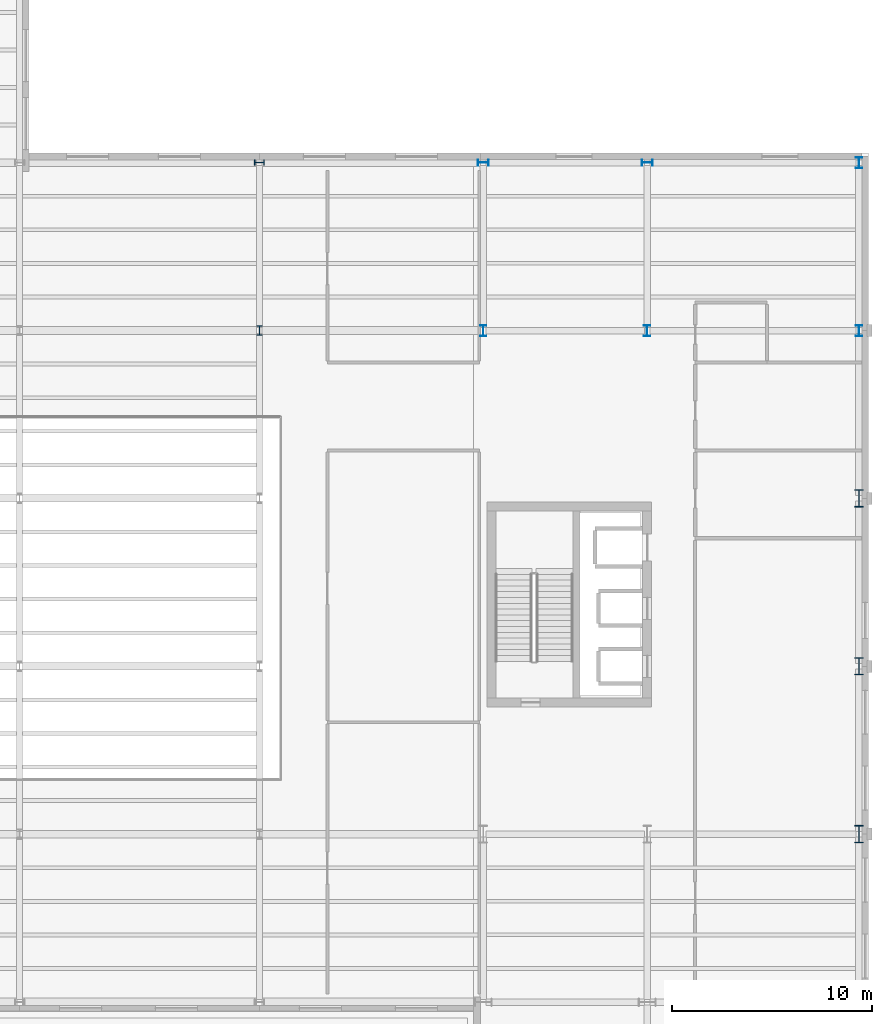
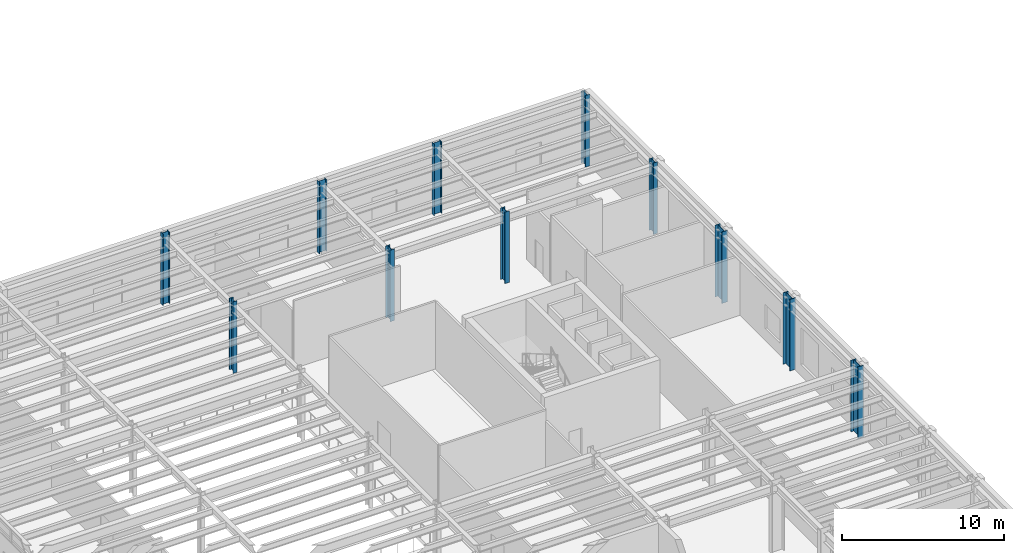
# One storey, part 16 of 98: 11 columns.
"""IFC4 building model written with IfcOpenShell, lengths in metres."""

from ifc_helpers import new_model, si_unit, direction, frame, origin, origin_2d, place, context, subcontext, project, spatial, i_section, extrude, material, material_profile, profile_set, type_object, element, save


model = new_model("IFC4")

# Units and contexts
model_context = context("Model", 3, precision=1e-05, world=origin(), true_north=direction((0.0, 1.0)))
body_context = subcontext(model_context, "Body", "Model", "MODEL_VIEW")
ifc_project = project(units=[si_unit("LENGTHUNIT", "METRE"), si_unit("AREAUNIT", "SQUARE_METRE"), si_unit("VOLUMEUNIT", "CUBIC_METRE"), si_unit("PLANEANGLEUNIT", "RADIAN"), si_unit("MASSUNIT", "GRAM", prefix="KILO")], contexts=[model_context])

# Site, building, storey
site_placement = place(None, origin())
site = spatial("IfcSite", under=ifc_project, at=site_placement, CompositionType="ELEMENT")
building_placement = place(site_placement, origin())
building = spatial("IfcBuilding", under=site, at=building_placement, Name="Sollismere Congress Hotel", CompositionType="ELEMENT")
storey_placement = place(building_placement, frame((0.0, 0.0, 5.39990234375)))
storey = spatial("IfcBuildingStorey", under=building, at=storey_placement, Name="L01", CompositionType="ELEMENT", Elevation=5.39990234375)

# Columns
ifc_material = material(Name="Steel ASTM A992 Grade 50", Category="steel")
ifc_material_profile_1 = material_profile(ifc_material, i_section(OverallWidth=0.283935546875, OverallDepth=0.4951171875, WebThickness=0.0185546875, FlangeThickness=0.033447265625, at=origin_2d()), Name="W18X143")
ifc_profile_set_1 = profile_set([ifc_material_profile_1], Name="Steel ASTM A992 Grade 50")
column_type_1 = type_object("IfcColumnType", Name="COL-W18", PredefinedType="COLUMN", material=ifc_profile_set_1)
for number, where, z_axis, x_axis, name in (
    (1, (136.0, 58.39990234375, 0.0), (0.0, 0.0, 1.0), (1.0, 0.0, 0.0), "Column CL-L01-770"),
    (2, (136.0, 66.800048828125, 0.0), (0.0, 0.0, 1.0), (0.0, 1.0, 0.0), "Column CL-L01-774"),
):
    element("IfcColumn", number, at=place(storey_placement, frame(where, z_axis=z_axis, x_axis=x_axis)), inside=storey, type_object=column_type_1, Name=name, PredefinedType="COLUMN", context=body_context, shape_type="SweptSolid", body=[
        extrude(i_section(OverallWidth=0.283935546875, OverallDepth=0.4951171875, WebThickness=0.0185546875, FlangeThickness=0.033447265625, at=origin_2d()), origin(), (0.0, 0.0, 1.0), 5.400146484375),
    ])
ifc_material_profile_2 = material_profile(ifc_material, i_section(OverallWidth=0.31494140625, OverallDepth=0.551025390625, WebThickness=0.01513671875, FlangeThickness=0.0244140625, at=origin_2d()), Name="W21X122")
ifc_profile_set_2 = profile_set([ifc_material_profile_2], Name="Steel ASTM A992 Grade 50")
column_type_2 = type_object("IfcColumnType", Name="COL-W21", PredefinedType="COLUMN", material=ifc_profile_set_2)
for number, where, z_axis, x_axis, name in (
    (3, (147.199951171875, 58.39990234375, 0.0), (0.0, 0.0, 1.0), (1.0, 0.0, 0.0), "Column CL-L01-834"),
    (4, (147.199951171875, 66.800048828125, 0.0), (0.0, 0.0, 1.0), (0.0, 1.0, 0.0), "Column CL-L01-843"),
    (5, (155.39990234375, 58.39990234375, 0.0), (0.0, 0.0, 1.0), (1.0, 0.0, 0.0), "Column CL-L01-922"),
    (6, (155.39990234375, 66.800048828125, 0.0), (0.0, 0.0, 1.0), (0.0, 1.0, 0.0), "Column CL-L01-931"),
    (7, (166.0, 58.39990234375, 0.0), (0.0, 0.0, 1.0), (1.0, 0.0, 0.0), "Column CL-L01-1036"),
    (8, (166.0, 66.800048828125, 0.0), (0.0, 0.0, 1.0), (1.0, 0.0, 0.0), "Column CL-L01-1045"),
):
    element("IfcColumn", number, at=place(storey_placement, frame(where, z_axis=z_axis, x_axis=x_axis)), inside=storey, type_object=column_type_2, Name=name, PredefinedType="COLUMN", context=body_context, shape_type="SweptSolid", body=[
        extrude(i_section(OverallWidth=0.31494140625, OverallDepth=0.551025390625, WebThickness=0.01513671875, FlangeThickness=0.0244140625, at=origin_2d()), origin(), (0.0, 0.0, 1.0), 5.400146484375),
    ])
ifc_material_profile_3 = material_profile(ifc_material, i_section(OverallWidth=0.404052734375, OverallDepth=0.868896484375, WebThickness=0.02099609375, FlangeThickness=0.03564453125, at=origin_2d()), Name="W33X241")
ifc_profile_set_3 = profile_set([ifc_material_profile_3], Name="Steel ASTM A992 Grade 50")
column_type_3 = type_object("IfcColumnType", Name="COL-W33", PredefinedType="COLUMN", material=ifc_profile_set_3)
for number, where, z_axis, x_axis, name in (
    (9, (166.0, 33.199951171875, 0.0), (0.0, 0.0, 1.0), (1.0, 0.0, 0.0), "Column CL-L01-997"),
    (10, (166.0, 41.60009765625, 0.0), (0.0, 0.0, 1.0), (1.0, 0.0, 0.0), "Column CL-L01-1010"),
    (11, (166.0, 50.0, 0.0), (0.0, 0.0, 1.0), (1.0, 0.0, 0.0), "Column CL-L01-1023"),
):
    element("IfcColumn", number, at=place(storey_placement, frame(where, z_axis=z_axis, x_axis=x_axis)), inside=storey, type_object=column_type_3, Name=name, PredefinedType="COLUMN", context=body_context, shape_type="SweptSolid", body=[
        extrude(i_section(OverallWidth=0.404052734375, OverallDepth=0.868896484375, WebThickness=0.02099609375, FlangeThickness=0.03564453125, at=origin_2d()), origin(), (0.0, 0.0, 1.0), 5.400146484375),
    ])

save(model, "model.ifc")
